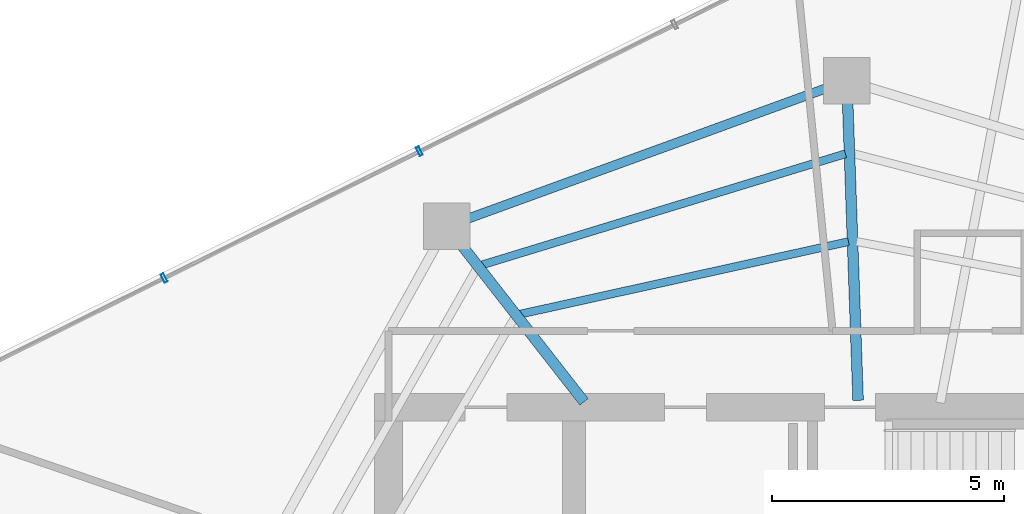
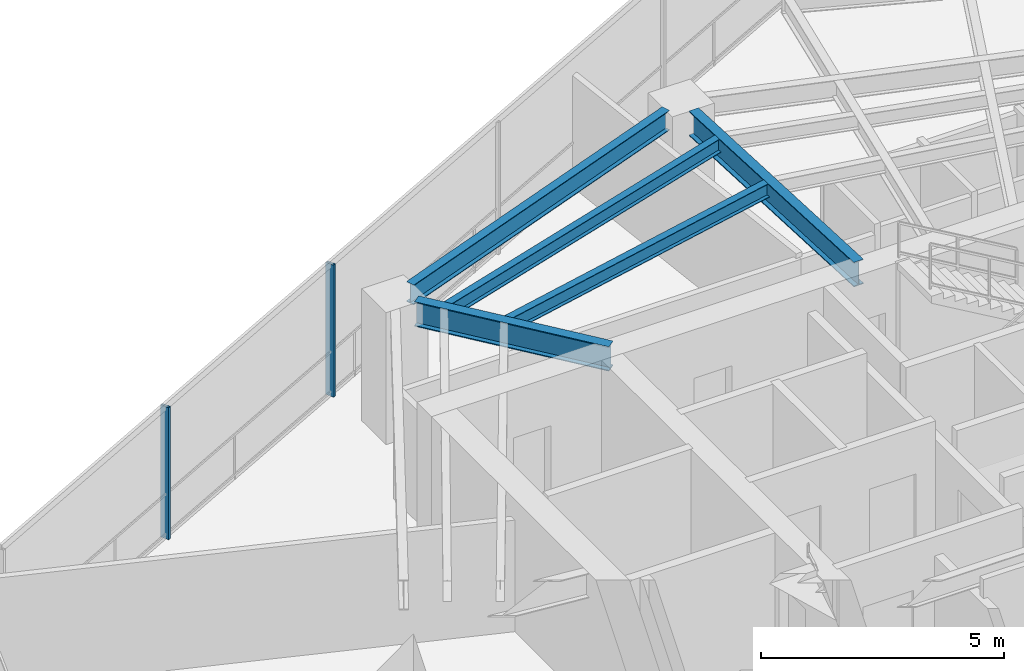
# One storey, part 12 of 21: 5 beams, 2 members, 1 element without a shape of its own.
"""IFC4 building model written with IfcOpenShell, lengths in metres."""

import ifcopenshell
import ifcopenshell.guid

model = None  # the IFC model being written
_history = None  # IfcOwnerHistory: only IFC2X3 demands one
_inside = {}  # id of a spatial element -> (the spatial element, [elements in it])
_under = {}  # id of a project, library or spatial element -> (it, [spatial elements below it])
_declared = {}  # id of a project -> (the project, [libraries it declares])
_typed = {}  # id of a type object -> (the type object, [elements of that type])
_made_of = {}  # id of a material, layer set ... -> (it, [elements and type objects made of it])


def new_model(schema):
    """Start an empty IFC model of exactly this schema.

    Asked for "IFC4X3", IfcOpenShell would pick the latest addendum, in which some entities
    have other attributes; the version numbers below select the first issue.
    IFC2X3 requires an IfcOwnerHistory on every rooted entity: one is made here for all.
    """
    global model, _history
    if schema == "IFC4X3":
        model = ifcopenshell.file(schema_version=(4, 3, 0, 0))
    else:
        model = ifcopenshell.file(schema=schema)
    _inside.clear()
    _under.clear()
    _declared.clear()
    _typed.clear()
    _made_of.clear()
    _history = None
    if model.schema == "IFC2X3":
        org = make("IfcOrganization", Name="unknown")
        user = make(
            "IfcPersonAndOrganization",
            ThePerson=make("IfcPerson", FamilyName="unknown"),
            TheOrganization=org,
        )
        app = make(
            "IfcApplication",
            ApplicationDeveloper=org,
            Version="unknown",
            ApplicationFullName="unknown",
            ApplicationIdentifier="unknown",
        )
        _history = make(
            "IfcOwnerHistory",
            OwningUser=user,
            OwningApplication=app,
            ChangeAction="ADDED",
            CreationDate=0,
        )
    return model


def make(cls, **values):
    """One entity of the class cls with the attributes given. An attribute that is None is left unset."""
    return model.create_entity(
        cls, **{name: value for name, value in values.items() if value is not None}
    )


def rooted(cls, **values):
    """An entity with a GlobalId (a new one), such as an element, a storey or a relation."""
    return make(cls, GlobalId=ifcopenshell.guid.new(), OwnerHistory=_history, **values)


def si_unit(unit_type, name, prefix=None):
    """IfcSIUnit, for example si_unit("LENGTHUNIT", "METRE", prefix="MILLI")."""
    return make("IfcSIUnit", UnitType=unit_type, Prefix=prefix, Name=name)


def assignment(units):
    """IfcUnitAssignment: the units of a project."""
    return None if units is None else make("IfcUnitAssignment", Units=units)


def point(xyz):
    """IfcCartesianPoint."""
    return None if xyz is None else make("IfcCartesianPoint", Coordinates=xyz)


def direction(xyz):
    """IfcDirection."""
    return None if xyz is None else make("IfcDirection", DirectionRatios=xyz)


def frame(location, z_axis=None, x_axis=None):
    """IfcAxis2Placement3D, a coordinate frame: its origin and axes. An axis left out is left unset."""
    return make(
        "IfcAxis2Placement3D",
        Location=point(location),
        Axis=direction(z_axis),
        RefDirection=direction(x_axis),
    )


def frame_2d(location, x_axis=None):
    """IfcAxis2Placement2D, a coordinate frame in the plane: its origin and x axis."""
    return make(
        "IfcAxis2Placement2D", Location=point(location), RefDirection=direction(x_axis)
    )


def origin():
    """The frame at (0, 0, 0) with its axes left unset."""
    return frame((0.0, 0.0, 0.0))


def origin_2d():
    """The frame at (0, 0) in the plane with its x axis left unset."""
    return frame_2d((0.0, 0.0))


def place(relative_to, where):
    """IfcLocalPlacement: puts the frame where relative to a parent placement (None: the world)."""
    return make(
        "IfcLocalPlacement", PlacementRelTo=relative_to, RelativePlacement=where
    )


def context(
    kind, dimensions, precision=None, world=None, true_north=None, identifier=None
):
    """IfcGeometricRepresentationContext, for example the 3D "Model" context."""
    return make(
        "IfcGeometricRepresentationContext",
        ContextIdentifier=identifier,
        ContextType=kind,
        CoordinateSpaceDimension=dimensions,
        Precision=precision,
        WorldCoordinateSystem=world,
        TrueNorth=true_north,
    )


def subcontext(parent, identifier, kind, view, scale=None):
    """IfcGeometricRepresentationSubContext, for example "Body" below "Model"."""
    return make(
        "IfcGeometricRepresentationSubContext",
        ContextIdentifier=identifier,
        ContextType=kind,
        ParentContext=parent,
        TargetScale=scale,
        TargetView=view,
    )


def project(units=None, contexts=None):
    """IfcProject with its units and contexts."""
    return rooted(
        "IfcProject",
        Name="project",
        RepresentationContexts=contexts,
        UnitsInContext=assignment(units),
    )


def spatial(cls, under=None, at=None, **own):
    """A site, building, storey or space (cls), placed at a placement, below another one or the project."""
    s = rooted(cls, ObjectPlacement=at, **own)
    if under is not None:
        _under.setdefault(under.id(), (under, []))[1].append(s)
    return s


def profile(cls, at=None, kind="AREA", **sizes):
    """A parametric profile (cls). Its sizes go by their IFC names, for example OverallWidth=200.0."""
    return make(cls, ProfileType=kind, Position=at, **sizes)


def hollow_rectangle(**sizes):
    """IfcRectangleHollowProfileDef."""
    return profile("IfcRectangleHollowProfileDef", **sizes)


def i_section(**sizes):
    """IfcIShapeProfileDef."""
    return profile("IfcIShapeProfileDef", **sizes)


def extrude(swept, where, along, depth):
    """IfcExtrudedAreaSolid: the profile swept, set in the frame where, extruded along a direction by depth."""
    return make(
        "IfcExtrudedAreaSolid",
        SweptArea=swept,
        Position=where,
        ExtrudedDirection=direction(along),
        Depth=depth,
    )


def shape(context_of_items, identifier, shape_type, items):
    """IfcShapeRepresentation: the items that make up one representation, for example the "Body"."""
    return make(
        "IfcShapeRepresentation",
        ContextOfItems=context_of_items,
        RepresentationIdentifier=identifier,
        RepresentationType=shape_type,
        Items=items,
    )


def material(Name=None, Category=None):
    """IfcMaterial."""
    return make("IfcMaterial", Name=Name, Category=Category)


def layer(
    of_material, thickness, ventilated=None, Name=None, Category=None, Priority=None
):
    """IfcMaterialLayer: one layer of a wall or slab, of a material (None: an air gap)."""
    return make(
        "IfcMaterialLayer",
        Material=of_material,
        LayerThickness=thickness,
        IsVentilated=ventilated,
        Name=Name,
        Category=Category,
        Priority=Priority,
    )


def layer_set(layers, Name=None):
    """IfcMaterialLayerSet."""
    return make("IfcMaterialLayerSet", MaterialLayers=layers, LayerSetName=Name)


def material_profile(
    of_material, cross_section, Name=None, Category=None, Priority=None
):
    """IfcMaterialProfile: a cross section and its material."""
    return make(
        "IfcMaterialProfile",
        Name=Name,
        Material=of_material,
        Profile=cross_section,
        Priority=Priority,
        Category=Category,
    )


def profile_set(profiles, Name=None, composite=None):
    """IfcMaterialProfileSet."""
    return make(
        "IfcMaterialProfileSet",
        Name=Name,
        MaterialProfiles=profiles,
        CompositeProfile=composite,
    )


def made_of(thing, what):
    """Note that an element or type object is made of a material, layer set ...; save() writes the relation."""
    if what is not None:
        _made_of.setdefault(what.id(), (what, []))[1].append(thing)
    return thing


def type_object(cls, material=None, **own):
    """A type object (cls), such as IfcWallType, which elements share."""
    return made_of(rooted(cls, **own), material)


def element(
    cls,
    number,
    at=None,
    inside=None,
    cuts=None,
    type_object=None,
    material=None,
    context=None,
    identifier="Body",
    shape_type=None,
    held_by="IfcProductDefinitionShape",
    body=None,
    shapes=None,
    **own,
):
    """One element of the class cls, such as IfcWall. Its Tag is "e" and its number.

    at: its placement. inside: the storey or other place that contains it. cuts: it is an
    opening in that element (IfcRelVoidsElement). A single representation is given by context,
    identifier, shape_type and body (its items); several are given by shapes. held_by: the class
    of the entity that holds the representations. save() writes the other relations.
    """
    e = rooted(cls, Tag="e%d" % number, ObjectPlacement=at, **own)
    if body is not None:
        shapes = [shape(context, identifier, shape_type, body)]
    if shapes is not None:
        e.Representation = make(held_by, Representations=shapes)
    if inside is not None:
        _inside.setdefault(inside.id(), (inside, []))[1].append(e)
    if cuts is not None:
        rooted(
            "IfcRelVoidsElement", RelatingBuildingElement=cuts, RelatedOpeningElement=e
        )
    if type_object is not None:
        _typed.setdefault(type_object.id(), (type_object, []))[1].append(e)
    return made_of(e, material)


def aggregate(whole, parts):
    """IfcRelAggregates: a whole, such as a stair, and the parts it consists of."""
    return rooted("IfcRelAggregates", RelatingObject=whole, RelatedObjects=parts)


def save(model, path):
    """Write the relations noted so far, then the file.

    IfcRelAggregates (storeys below a building ...), IfcRelContainedInSpatialStructure (elements
    in a storey), IfcRelDefinesByType, IfcRelAssociatesMaterial and IfcRelDeclares: one each for
    every whole, place, type object, material and project.
    """
    for whole, parts in _under.values():
        aggregate(whole, parts)
    for where, things in _inside.values():
        rooted(
            "IfcRelContainedInSpatialStructure",
            RelatedElements=things,
            RelatingStructure=where,
        )
    for kind, things in _typed.values():
        rooted("IfcRelDefinesByType", RelatedObjects=things, RelatingType=kind)
    for what, things in _made_of.values():
        rooted("IfcRelAssociatesMaterial", RelatedObjects=things, RelatingMaterial=what)
    for by, libraries in _declared.values():
        rooted("IfcRelDeclares", RelatingContext=by, RelatedDefinitions=libraries)
    model.write(path)


model = new_model("IFC4")

# Units and contexts
model_context = context("Model", 3, precision=1e-05, world=origin(), true_north=direction((0.0, 1.0)))
body_context = subcontext(model_context, "Body", "Model", "MODEL_VIEW")
ifc_project = project(units=[si_unit("LENGTHUNIT", "METRE"), si_unit("AREAUNIT", "SQUARE_METRE"), si_unit("VOLUMEUNIT", "CUBIC_METRE"), si_unit("PLANEANGLEUNIT", "RADIAN"), si_unit("MASSUNIT", "GRAM", prefix="KILO")], contexts=[model_context])

# Site, building, storey
site_placement = place(None, origin())
site = spatial("IfcSite", under=ifc_project, at=site_placement, CompositionType="ELEMENT")
building_placement = place(site_placement, origin())
building = spatial("IfcBuilding", under=site, at=building_placement, Name="Qarnah Convention Tower", CompositionType="ELEMENT")
storey_placement = place(building_placement, frame((0.0, 0.0, 165.300048828125)))
storey = spatial("IfcBuildingStorey", under=building, at=storey_placement, Name="L44", CompositionType="ELEMENT", Elevation=165.300048828125)

# Beams
ifc_material_1 = material(Name="Structural steel S355JR", Category="steel")
ifc_material_profile_1 = material_profile(ifc_material_1, i_section(OverallWidth=0.172119140625, OverallDepth=0.35595703125, WebThickness=0.007080078125, FlangeThickness=0.011962890625, at=origin_2d()), Name="W360X51")
ifc_profile_set_1 = profile_set([ifc_material_profile_1], Name="Structural steel S355JR")
beam_type_1 = type_object("IfcBeamType", Name="BM-JST-W360", PredefinedType="JOIST", material=ifc_profile_set_1)
beam_1_placement = place(storey_placement, frame((36.64990234375, 39.666015625, 3.141845703125), z_axis=(-0.956294191837, -0.29240625619, 0.0), x_axis=(0.29240625619, -0.956294191837, 0.0)))
element("IfcBeam", 1, at=beam_1_placement, inside=storey, type_object=beam_type_1, Name="L44 joist BM-L44-SJST-03", PredefinedType="JOIST", context=body_context, shape_type="SweptSolid", body=[
    extrude(i_section(OverallWidth=0.172119140625, OverallDepth=0.35595703125, WebThickness=0.007080078125, FlangeThickness=0.011962890625, at=origin_2d()), origin(), (0.0, 0.0, 1.0), 8.194091796875),
])
beam_2_placement = place(storey_placement, frame((36.715087890625, 37.77197265625, 3.141845703125), z_axis=(-0.97646370679, -0.215681777908, 0.0), x_axis=(0.215681777908, -0.97646370679, 0.0)))
element("IfcBeam", 2, at=beam_2_placement, inside=storey, type_object=beam_type_1, Name="L44 joist BM-L44-IJST-03", PredefinedType="JOIST", context=body_context, shape_type="SweptSolid", body=[
    extrude(i_section(OverallWidth=0.172119140625, OverallDepth=0.35595703125, WebThickness=0.007080078125, FlangeThickness=0.011962890625, at=origin_2d()), origin(), (0.0, 0.0, 1.0), 7.246826171875),
])
ifc_material_profile_2 = material_profile(ifc_material_1, i_section(OverallWidth=0.22998046875, OverallDepth=0.617919921875, WebThickness=0.012939453125, FlangeThickness=0.02197265625, at=origin_2d()), Name="W610X140")
ifc_profile_set_2 = profile_set([ifc_material_profile_2], Name="Structural steel S355JR")
beam_type_2 = type_object("IfcBeamType", Name="BM-RAD-W610A", PredefinedType="BEAM", material=ifc_profile_set_2)
beam_3_placement = place(storey_placement, frame((36.923095703125, 34.35009765625, 3.010986328125), z_axis=(-0.034938098977, 0.999389478252, 0.0), x_axis=(-0.999389478252, -0.034938098977, 0.0)))
element("IfcBeam", 3, at=beam_3_placement, inside=storey, type_object=beam_type_2, Name="L44 beam BM-L44-RAD-03", PredefinedType="BEAM", context=body_context, shape_type="SweptSolid", body=[
    extrude(i_section(OverallWidth=0.22998046875, OverallDepth=0.617919921875, WebThickness=0.012939453125, FlangeThickness=0.02197265625, at=origin_2d()), origin(), (0.0, 0.0, 1.0), 6.414794921875),
])
beam_4_placement = place(storey_placement, frame((31.013916015625, 34.318115234375, 3.010986328125), z_axis=(-0.615636368947, 0.788030368215, 0.0), x_axis=(-0.788030368215, -0.615636368947, 0.0)))
element("IfcBeam", 4, at=beam_4_placement, inside=storey, type_object=beam_type_2, Name="L44 beam BM-L44-RAD-04", PredefinedType="BEAM", context=body_context, shape_type="SweptSolid", body=[
    extrude(i_section(OverallWidth=0.22998046875, OverallDepth=0.617919921875, WebThickness=0.012939453125, FlangeThickness=0.02197265625, at=origin_2d()), origin(), (0.0, 0.0, 1.0), 4.322265625),
])
ifc_material_profile_3 = material_profile(ifc_material_1, i_section(OverallWidth=0.199951171875, OverallDepth=0.5, WebThickness=0.010009765625, FlangeThickness=0.01611328125, at=origin_2d()), Name="IPE500")
ifc_profile_set_3 = profile_set([ifc_material_profile_3], Name="Structural steel S355JR")
beam_type_3 = type_object("IfcBeamType", Name="BM-SPN-IPE500", PredefinedType="SPANDREL", material=ifc_profile_set_3)
beam_5_placement = place(storey_placement, frame((36.221923828125, 41.072998046875, 3.070068359375), z_axis=(-0.939745596534, -0.341874558567, 0.0), x_axis=(0.341874558567, -0.939745596534, 0.0)))
element("IfcBeam", 5, at=beam_5_placement, inside=storey, type_object=beam_type_3, Name="L44 spandrel BM-L44-SPN-03", PredefinedType="SPANDREL", context=body_context, shape_type="SweptSolid", body=[
    extrude(i_section(OverallWidth=0.199951171875, OverallDepth=0.5, WebThickness=0.010009765625, FlangeThickness=0.01611328125, at=origin_2d()), origin(), (0.0, 0.0, 1.0), 8.19873046875),
])

# Curtain wall, members
ifc_material_2 = material(Name="Tempered Low-E dark glass", Category="glass")
ifc_layer = layer(ifc_material_2, 0.172119140625)
ifc_layer_set = layer_set([ifc_layer], Name="Tempered Low-E dark glass")
curtain_wall_type = type_object("IfcCurtainWallType", Name="CWS-03", PredefinedType="NOTDEFINED", material=ifc_layer_set)
curtain_wall_placement = place(storey_placement, origin())
curtain_wall = element("IfcCurtainWall", 6, at=curtain_wall_placement, inside=storey, type_object=curtain_wall_type, Name="L44 unitised curtain wall CW-L44-F2", PredefinedType="NOTDEFINED")
ifc_material_3 = material(Name="Black anodised aluminium", Category="aluminium")
ifc_material_profile_4 = material_profile(ifc_material_3, hollow_rectangle(XDim=0.070068359375, YDim=0.199951171875, WallThickness=0.0048828125, at=origin_2d()), Name="MUL-70X200")
ifc_profile_set_4 = profile_set([ifc_material_profile_4], Name="Black anodised aluminium")
member_type = type_object("IfcMemberType", Name="MUL-T3", PredefinedType="MULLION", material=ifc_profile_set_4)
member_1_placement = place(storey_placement, frame((21.95947265625, 36.9873046875, 0.0), z_axis=(0.0, 0.0, 1.0), x_axis=(0.895712272422, 0.444634147399, 0.0)))
member_1 = element("IfcMember", 7, at=member_1_placement, type_object=member_type, Name="CW-L44-F2 mullion 2", PredefinedType="MULLION", context=body_context, shape_type="SweptSolid", body=[
    extrude(hollow_rectangle(XDim=0.070068359375, YDim=0.199951171875, WallThickness=0.0048828125, at=origin_2d()), origin(), (0.0, 0.0, 1.0), 3.320068359375),
])
member_2_placement = place(storey_placement, frame((27.4638671875, 39.7197265625, 0.0), z_axis=(0.0, 0.0, 1.0), x_axis=(0.895712272422, 0.444634147399, 0.0)))
member_2 = element("IfcMember", 8, at=member_2_placement, type_object=member_type, Name="CW-L44-F2 mullion 3", PredefinedType="MULLION", context=body_context, shape_type="SweptSolid", body=[
    extrude(hollow_rectangle(XDim=0.070068359375, YDim=0.199951171875, WallThickness=0.0048828125, at=origin_2d()), origin(), (0.0, 0.0, 1.0), 3.320068359375),
])
aggregate(curtain_wall, [member_1, member_2])

save(model, "model.ifc")
